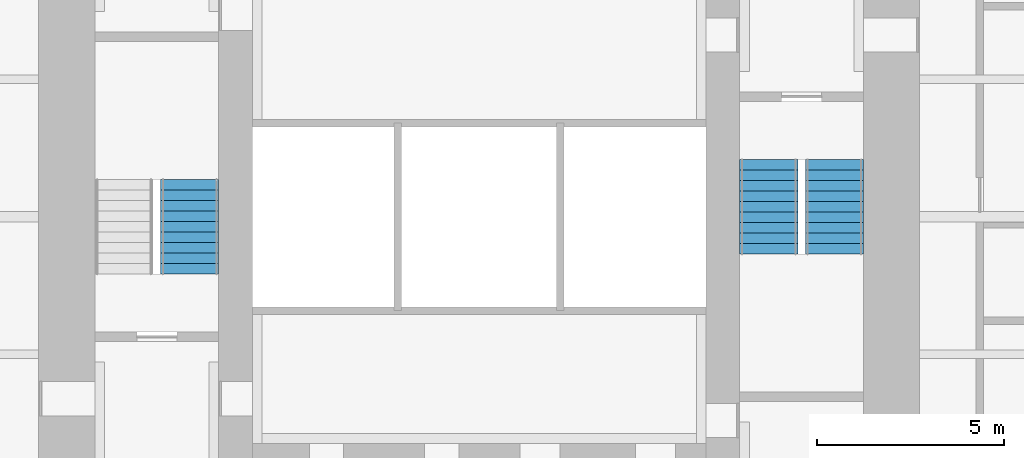
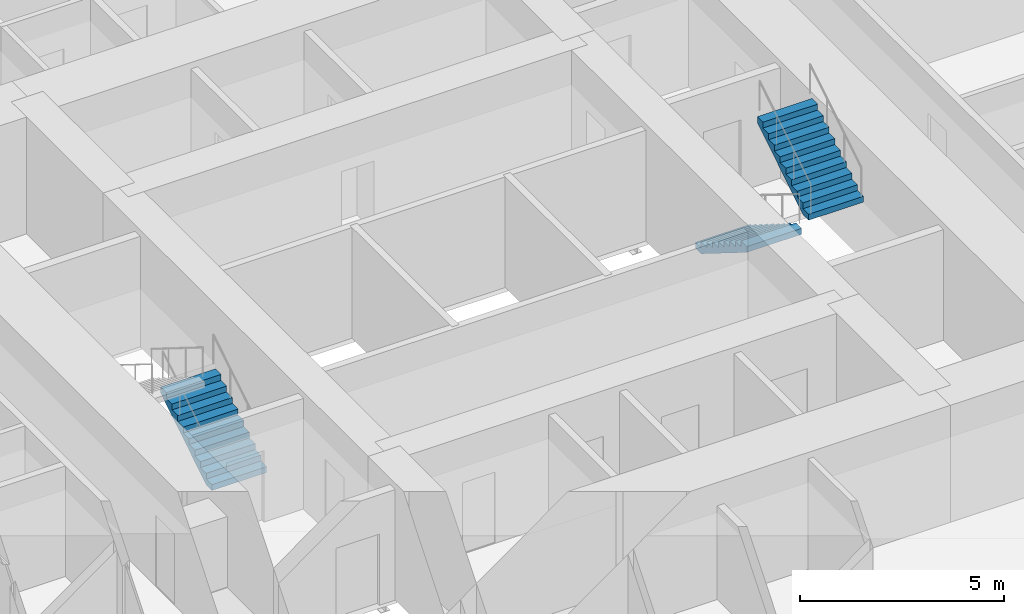
# One storey, part 10 of 11: 3 stair flights, 2 elements without a shape of their own.
"""IFC4 building model written with IfcOpenShell, lengths in metres."""

import ifcopenshell
import ifcopenshell.guid

model = None  # the IFC model being written
_history = None  # IfcOwnerHistory: only IFC2X3 demands one
_inside = {}  # id of a spatial element -> (the spatial element, [elements in it])
_under = {}  # id of a project, library or spatial element -> (it, [spatial elements below it])
_declared = {}  # id of a project -> (the project, [libraries it declares])
_typed = {}  # id of a type object -> (the type object, [elements of that type])
_made_of = {}  # id of a material, layer set ... -> (it, [elements and type objects made of it])


def new_model(schema):
    """Start an empty IFC model of exactly this schema.

    Asked for "IFC4X3", IfcOpenShell would pick the latest addendum, in which some entities
    have other attributes; the version numbers below select the first issue.
    IFC2X3 requires an IfcOwnerHistory on every rooted entity: one is made here for all.
    """
    global model, _history
    if schema == "IFC4X3":
        model = ifcopenshell.file(schema_version=(4, 3, 0, 0))
    else:
        model = ifcopenshell.file(schema=schema)
    _inside.clear()
    _under.clear()
    _declared.clear()
    _typed.clear()
    _made_of.clear()
    _history = None
    if model.schema == "IFC2X3":
        org = make("IfcOrganization", Name="unknown")
        user = make(
            "IfcPersonAndOrganization",
            ThePerson=make("IfcPerson", FamilyName="unknown"),
            TheOrganization=org,
        )
        app = make(
            "IfcApplication",
            ApplicationDeveloper=org,
            Version="unknown",
            ApplicationFullName="unknown",
            ApplicationIdentifier="unknown",
        )
        _history = make(
            "IfcOwnerHistory",
            OwningUser=user,
            OwningApplication=app,
            ChangeAction="ADDED",
            CreationDate=0,
        )
    return model


def make(cls, **values):
    """One entity of the class cls with the attributes given. An attribute that is None is left unset."""
    return model.create_entity(
        cls, **{name: value for name, value in values.items() if value is not None}
    )


def rooted(cls, **values):
    """An entity with a GlobalId (a new one), such as an element, a storey or a relation."""
    return make(cls, GlobalId=ifcopenshell.guid.new(), OwnerHistory=_history, **values)


def si_unit(unit_type, name, prefix=None):
    """IfcSIUnit, for example si_unit("LENGTHUNIT", "METRE", prefix="MILLI")."""
    return make("IfcSIUnit", UnitType=unit_type, Prefix=prefix, Name=name)


def assignment(units):
    """IfcUnitAssignment: the units of a project."""
    return None if units is None else make("IfcUnitAssignment", Units=units)


def point(xyz):
    """IfcCartesianPoint."""
    return None if xyz is None else make("IfcCartesianPoint", Coordinates=xyz)


def direction(xyz):
    """IfcDirection."""
    return None if xyz is None else make("IfcDirection", DirectionRatios=xyz)


def frame(location, z_axis=None, x_axis=None):
    """IfcAxis2Placement3D, a coordinate frame: its origin and axes. An axis left out is left unset."""
    return make(
        "IfcAxis2Placement3D",
        Location=point(location),
        Axis=direction(z_axis),
        RefDirection=direction(x_axis),
    )


def origin():
    """The frame at (0, 0, 0) with its axes left unset."""
    return frame((0.0, 0.0, 0.0))


def place(relative_to, where):
    """IfcLocalPlacement: puts the frame where relative to a parent placement (None: the world)."""
    return make(
        "IfcLocalPlacement", PlacementRelTo=relative_to, RelativePlacement=where
    )


def context(
    kind, dimensions, precision=None, world=None, true_north=None, identifier=None
):
    """IfcGeometricRepresentationContext, for example the 3D "Model" context."""
    return make(
        "IfcGeometricRepresentationContext",
        ContextIdentifier=identifier,
        ContextType=kind,
        CoordinateSpaceDimension=dimensions,
        Precision=precision,
        WorldCoordinateSystem=world,
        TrueNorth=true_north,
    )


def subcontext(parent, identifier, kind, view, scale=None):
    """IfcGeometricRepresentationSubContext, for example "Body" below "Model"."""
    return make(
        "IfcGeometricRepresentationSubContext",
        ContextIdentifier=identifier,
        ContextType=kind,
        ParentContext=parent,
        TargetScale=scale,
        TargetView=view,
    )


def project(units=None, contexts=None):
    """IfcProject with its units and contexts."""
    return rooted(
        "IfcProject",
        Name="project",
        RepresentationContexts=contexts,
        UnitsInContext=assignment(units),
    )


def spatial(cls, under=None, at=None, **own):
    """A site, building, storey or space (cls), placed at a placement, below another one or the project."""
    s = rooted(cls, ObjectPlacement=at, **own)
    if under is not None:
        _under.setdefault(under.id(), (under, []))[1].append(s)
    return s


def polyline(points):
    """IfcPolyline through the points."""
    return make("IfcPolyline", Points=[point(p) for p in points])


def outline(outer, holes=None, kind="AREA"):
    """IfcArbitraryClosedProfileDef: a profile drawn as a closed curve; with holes, ...WithVoids."""
    if holes is None:
        return make("IfcArbitraryClosedProfileDef", ProfileType=kind, OuterCurve=outer)
    return make(
        "IfcArbitraryProfileDefWithVoids",
        ProfileType=kind,
        OuterCurve=outer,
        InnerCurves=holes,
    )


def extrude(swept, where, along, depth):
    """IfcExtrudedAreaSolid: the profile swept, set in the frame where, extruded along a direction by depth."""
    return make(
        "IfcExtrudedAreaSolid",
        SweptArea=swept,
        Position=where,
        ExtrudedDirection=direction(along),
        Depth=depth,
    )


def shape(context_of_items, identifier, shape_type, items):
    """IfcShapeRepresentation: the items that make up one representation, for example the "Body"."""
    return make(
        "IfcShapeRepresentation",
        ContextOfItems=context_of_items,
        RepresentationIdentifier=identifier,
        RepresentationType=shape_type,
        Items=items,
    )


def material(Name=None, Category=None):
    """IfcMaterial."""
    return make("IfcMaterial", Name=Name, Category=Category)


def made_of(thing, what):
    """Note that an element or type object is made of a material, layer set ...; save() writes the relation."""
    if what is not None:
        _made_of.setdefault(what.id(), (what, []))[1].append(thing)
    return thing


def type_object(cls, material=None, **own):
    """A type object (cls), such as IfcWallType, which elements share."""
    return made_of(rooted(cls, **own), material)


def element(
    cls,
    number,
    at=None,
    inside=None,
    cuts=None,
    type_object=None,
    material=None,
    context=None,
    identifier="Body",
    shape_type=None,
    held_by="IfcProductDefinitionShape",
    body=None,
    shapes=None,
    **own,
):
    """One element of the class cls, such as IfcWall. Its Tag is "e" and its number.

    at: its placement. inside: the storey or other place that contains it. cuts: it is an
    opening in that element (IfcRelVoidsElement). A single representation is given by context,
    identifier, shape_type and body (its items); several are given by shapes. held_by: the class
    of the entity that holds the representations. save() writes the other relations.
    """
    e = rooted(cls, Tag="e%d" % number, ObjectPlacement=at, **own)
    if body is not None:
        shapes = [shape(context, identifier, shape_type, body)]
    if shapes is not None:
        e.Representation = make(held_by, Representations=shapes)
    if inside is not None:
        _inside.setdefault(inside.id(), (inside, []))[1].append(e)
    if cuts is not None:
        rooted(
            "IfcRelVoidsElement", RelatingBuildingElement=cuts, RelatedOpeningElement=e
        )
    if type_object is not None:
        _typed.setdefault(type_object.id(), (type_object, []))[1].append(e)
    return made_of(e, material)


def aggregate(whole, parts):
    """IfcRelAggregates: a whole, such as a stair, and the parts it consists of."""
    return rooted("IfcRelAggregates", RelatingObject=whole, RelatedObjects=parts)


def save(model, path):
    """Write the relations noted so far, then the file.

    IfcRelAggregates (storeys below a building ...), IfcRelContainedInSpatialStructure (elements
    in a storey), IfcRelDefinesByType, IfcRelAssociatesMaterial and IfcRelDeclares: one each for
    every whole, place, type object, material and project.
    """
    for whole, parts in _under.values():
        aggregate(whole, parts)
    for where, things in _inside.values():
        rooted(
            "IfcRelContainedInSpatialStructure",
            RelatedElements=things,
            RelatingStructure=where,
        )
    for kind, things in _typed.values():
        rooted("IfcRelDefinesByType", RelatedObjects=things, RelatingType=kind)
    for what, things in _made_of.values():
        rooted("IfcRelAssociatesMaterial", RelatedObjects=things, RelatingMaterial=what)
    for by, libraries in _declared.values():
        rooted("IfcRelDeclares", RelatingContext=by, RelatedDefinitions=libraries)
    model.write(path)


model = new_model("IFC4")

# Units and contexts
model_context = context("Model", 3, precision=1e-05, world=origin(), true_north=direction((0.0, 1.0)))
body_context = subcontext(model_context, "Body", "Model", "MODEL_VIEW")
ifc_project = project(units=[si_unit("LENGTHUNIT", "METRE"), si_unit("AREAUNIT", "SQUARE_METRE"), si_unit("VOLUMEUNIT", "CUBIC_METRE"), si_unit("PLANEANGLEUNIT", "RADIAN"), si_unit("MASSUNIT", "GRAM", prefix="KILO")], contexts=[model_context])

# Site, building, storey
site_placement = place(None, origin())
site = spatial("IfcSite", under=ifc_project, at=site_placement, CompositionType="ELEMENT")
building_placement = place(site_placement, origin())
building = spatial("IfcBuilding", under=site, at=building_placement, Name="Trevanion Tower", CompositionType="ELEMENT")
storey_placement = place(building_placement, frame((0.0, 0.0, 236.199951171875)))
storey = spatial("IfcBuildingStorey", under=building, at=storey_placement, Name="L57", CompositionType="ELEMENT", Elevation=236.199951171875)

# Stair, stair flights
ifc_material_1 = material(Name="Concrete 5,000 psi on steel stringers", Category="concrete")
stair_type = type_object("IfcStairType", Name="ST stair", PredefinedType="HALF_TURN_STAIR", material=ifc_material_1)
stair_1_placement = place(storey_placement, origin())
stair_1 = element("IfcStair", 1, at=stair_1_placement, inside=storey, type_object=stair_type, Name="ST1 L57", PredefinedType="HALF_TURN_STAIR")
ifc_material_2 = material(Name="Concrete 5,000 psi in steel pan", Category="concrete")
stair_flight_type = type_object("IfcStairFlightType", Name="STF stair flight", PredefinedType="STRAIGHT", material=ifc_material_2)
stair_flight_1_placement = place(storey_placement, frame((7.72509765625, 1.52490234375, 0.0), z_axis=(0.0, 0.0, 1.0), x_axis=(0.0, -1.0, 0.0)))
stair_flight_1 = element("IfcStairFlight", 2, at=stair_flight_1_placement, type_object=stair_flight_type, Name="ST1 flight 1", NumberOfRisers=10, NumberOfTreads=9, PredefinedType="STRAIGHT", RiserHeight=0.175, TreadLength=0.28, context=body_context, shape_type="SweptSolid", body=[
    extrude(outline(polyline([(0.0, 0.0), (0.0, 0.175048828125), (0.280029296875, 0.175048828125), (0.280029296875, 0.35009765625), (0.56005859375, 0.35009765625), (0.56005859375, 0.52490234375), (0.840087890625, 0.52490234375), (0.840087890625, 0.699951171875), (1.1201171875, 0.699951171875), (1.1201171875, 0.875), (1.39990234375, 0.875), (1.39990234375, 1.050048828125), (1.679931640625, 1.050048828125), (1.679931640625, 1.22509765625), (1.9599609375, 1.22509765625), (1.9599609375, 1.39990234375), (2.239990234375, 1.39990234375), (2.239990234375, 1.574951171875), (2.52001953125, 1.574951171875), (2.52001953125, 1.75), (2.52001953125, 1.398193359375), (0.28271484375, 0.0), (0.0, 0.0)])), frame((0.0, 0.77490234375, 0.0), z_axis=(0.0, -1.0, 0.0), x_axis=(1.0, 0.0, 0.0)), (0.0, 0.0, 1.0), 1.550048828125),
])
stair_flight_2_placement = place(storey_placement, frame((9.47509765625, -0.9951171875, 1.75), z_axis=(0.0, 0.0, 1.0), x_axis=(0.0, 1.0, 0.0)))
stair_flight_2 = element("IfcStairFlight", 3, at=stair_flight_2_placement, type_object=stair_flight_type, Name="ST1 flight 2", NumberOfRisers=10, NumberOfTreads=9, PredefinedType="STRAIGHT", RiserHeight=0.175, TreadLength=0.28, context=body_context, shape_type="SweptSolid", body=[
    extrude(outline(polyline([(0.0, 0.0), (0.0, 0.175048828125), (0.280029296875, 0.175048828125), (0.280029296875, 0.35009765625), (0.56005859375, 0.35009765625), (0.56005859375, 0.52490234375), (0.840087890625, 0.52490234375), (0.840087890625, 0.699951171875), (1.1201171875, 0.699951171875), (1.1201171875, 0.875), (1.39990234375, 0.875), (1.39990234375, 1.050048828125), (1.679931640625, 1.050048828125), (1.679931640625, 1.22509765625), (1.9599609375, 1.22509765625), (1.9599609375, 1.39990234375), (2.239990234375, 1.39990234375), (2.239990234375, 1.574951171875), (2.52001953125, 1.574951171875), (2.52001953125, 1.75), (2.52001953125, 1.398193359375), (0.28271484375, 0.0), (0.0, 0.0)])), frame((0.0, 0.77490234375, 0.0), z_axis=(0.0, -1.0, 0.0), x_axis=(1.0, 0.0, 0.0)), (0.0, 0.0, 1.0), 1.550048828125),
])
aggregate(stair_1, [stair_flight_1, stair_flight_2])

# Stair, stair flight
stair_2_placement = place(storey_placement, origin())
stair_2 = element("IfcStair", 4, at=stair_2_placement, inside=storey, type_object=stair_type, Name="ST2 L57", PredefinedType="HALF_TURN_STAIR")
stair_flight_3_placement = place(storey_placement, frame((-7.72509765625, -1.52490234375, 0.0), z_axis=(0.0, 0.0, 1.0), x_axis=(0.0, 1.0, 0.0)))
stair_flight_3 = element("IfcStairFlight", 5, at=stair_flight_3_placement, type_object=stair_flight_type, Name="ST2 flight 1", NumberOfRisers=10, NumberOfTreads=9, PredefinedType="STRAIGHT", RiserHeight=0.175, TreadLength=0.28, context=body_context, shape_type="SweptSolid", body=[
    extrude(outline(polyline([(0.0, 0.0), (0.0, 0.175048828125), (0.280029296875, 0.175048828125), (0.280029296875, 0.35009765625), (0.56005859375, 0.35009765625), (0.56005859375, 0.52490234375), (0.840087890625, 0.52490234375), (0.840087890625, 0.699951171875), (1.1201171875, 0.699951171875), (1.1201171875, 0.875), (1.39990234375, 0.875), (1.39990234375, 1.050048828125), (1.679931640625, 1.050048828125), (1.679931640625, 1.22509765625), (1.9599609375, 1.22509765625), (1.9599609375, 1.39990234375), (2.239990234375, 1.39990234375), (2.239990234375, 1.574951171875), (2.52001953125, 1.574951171875), (2.52001953125, 1.75), (2.52001953125, 1.398193359375), (0.28271484375, 0.0), (0.0, 0.0)])), frame((0.0, 0.77490234375, 0.0), z_axis=(0.0, -1.0, 0.0), x_axis=(1.0, 0.0, 0.0)), (0.0, 0.0, 1.0), 1.550048828125),
])
aggregate(stair_2, [stair_flight_3])

save(model, "model.ifc")
